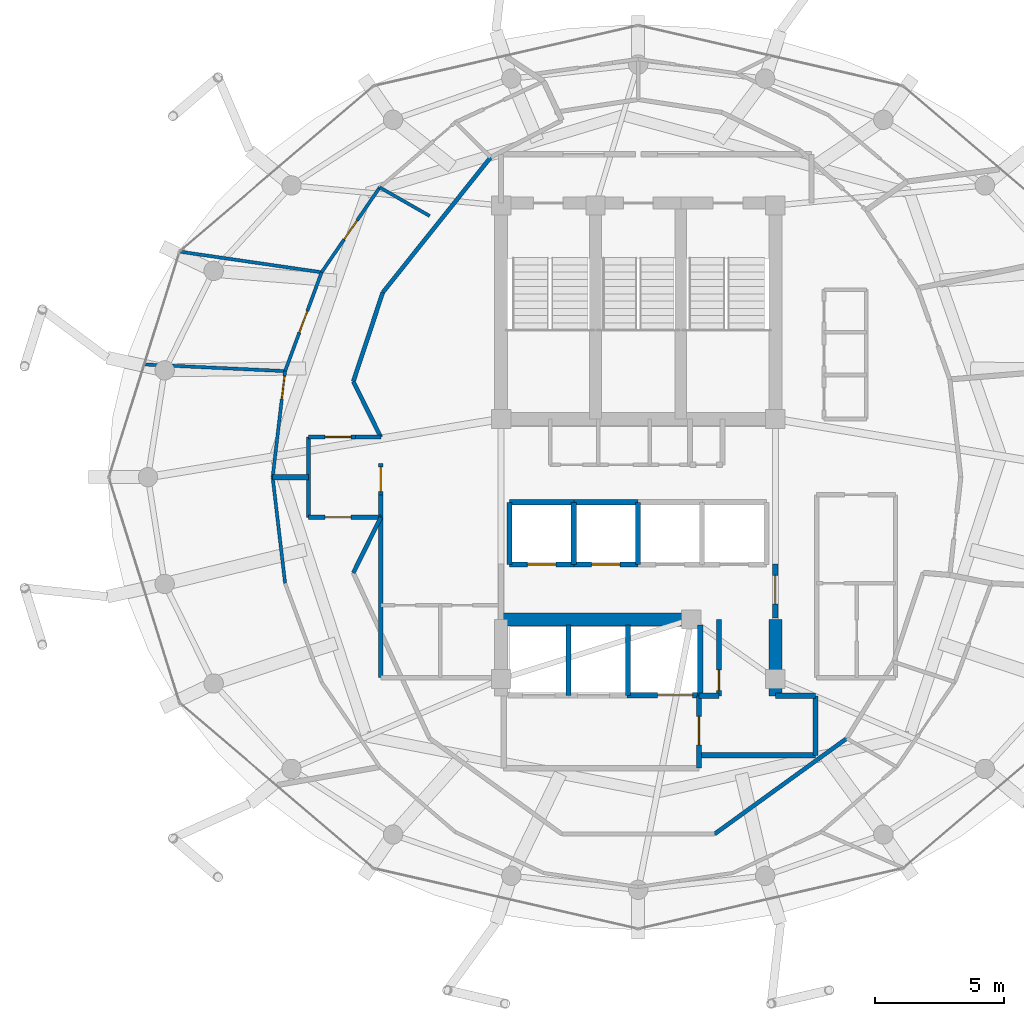
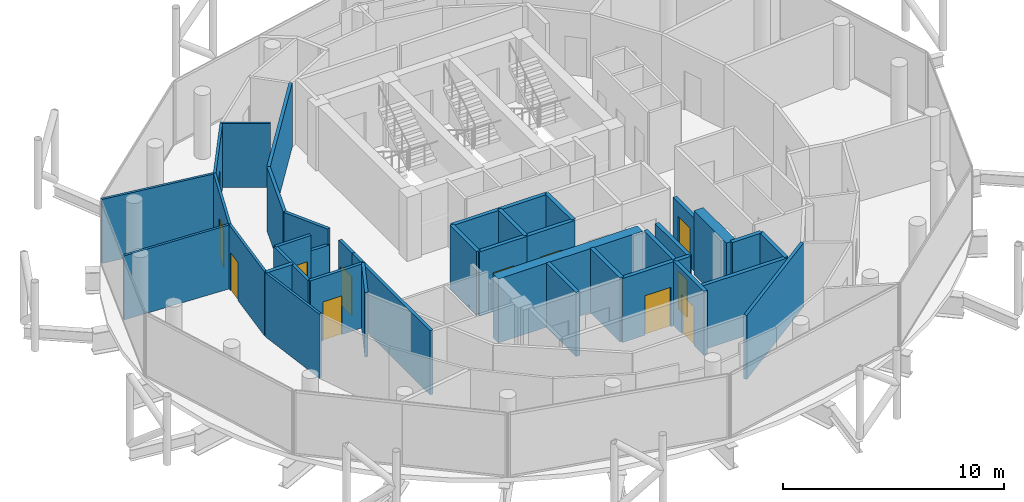
# One storey, part 21 of 25: 39 walls, 12 doors, 12 openings.
"""IFC4 building model written with IfcOpenShell, lengths in metres."""

from ifc_helpers import new_model, si_unit, direction, frame, frame_2d, origin, place, context, subcontext, project, spatial, rectangle, extrude, material, layer, layer_set, type_object, element, fill, save


model = new_model("IFC4")

# Units and contexts
model_context = context("Model", 3, precision=1e-05, world=origin(), true_north=direction((0.0, 1.0)))
body_context = subcontext(model_context, "Body", "Model", "MODEL_VIEW")
ifc_project = project(units=[si_unit("LENGTHUNIT", "METRE"), si_unit("AREAUNIT", "SQUARE_METRE"), si_unit("VOLUMEUNIT", "CUBIC_METRE"), si_unit("PLANEANGLEUNIT", "RADIAN"), si_unit("MASSUNIT", "GRAM", prefix="KILO")], contexts=[model_context])

# Site, building, storey
site_placement = place(None, origin())
site = spatial("IfcSite", under=ifc_project, at=site_placement, CompositionType="ELEMENT")
building_placement = place(site_placement, origin())
building = spatial("IfcBuilding", under=site, at=building_placement, Name="Nuhasar Tower", CompositionType="ELEMENT")
storey_placement = place(building_placement, frame((0.0, 0.0, 255.60009765625)))
storey = spatial("IfcBuildingStorey", under=building, at=storey_placement, Name="L63", CompositionType="ELEMENT", Elevation=255.60009765625)

# Walls
ifc_material_1 = material(Name="Concrete C50/60", Category="concrete")
ifc_layer_1 = layer(ifc_material_1, 0.5)
ifc_layer_set_1 = layer_set([ifc_layer_1], Name="Concrete C50/60")
wall_type_1 = type_object("IfcWallType", Name="WL-CORE-500", PredefinedType="SHEAR", material=ifc_layer_set_1)
wall_1_placement = place(storey_placement, frame((44.300048828125, 18.35009765625, 0.0), z_axis=(0.0, 0.0, 1.0), x_axis=(0.0, 1.0, 0.0)))
element("IfcWall", 1, at=wall_1_placement, inside=storey, type_object=wall_type_1, Name="L63 Core Shear Wall CW-SE CW-500", PredefinedType="SHEAR", context=body_context, shape_type="SweptSolid", body=[
    extrude(rectangle(XDim=2.949951171875, YDim=0.5, at=frame_2d((1.47509765625, 0.0))), origin(), (0.0, 0.0, 1.0), 3.539794921875),
])
wall_2_placement = place(storey_placement, frame((33.699951171875, 21.300048828125, 0.0), z_axis=(0.0, 0.0, 1.0), x_axis=(1.0, 0.0, 0.0)))
element("IfcWall", 2, at=wall_2_placement, inside=storey, type_object=wall_type_1, Name="L63 Core Shear Wall CW-S1 CW-500", PredefinedType="SHEAR", context=body_context, shape_type="SweptSolid", body=[
    extrude(rectangle(XDim=7.550048828125, YDim=0.5, at=frame_2d((3.77490234375, 0.0))), origin(), (0.0, 0.0, 1.0), 3.539794921875),
])
ifc_material_2 = material(Name="Gypsum Board", Category="gypsum")
ifc_layer_2 = layer(ifc_material_2, 0.159912109375)
ifc_layer_set_2 = layer_set([ifc_layer_2], Name="Gypsum Board")
wall_type_2 = type_object("IfcWallType", Name="WL-CORR-160", PredefinedType="PARTITIONING", material=ifc_layer_set_2)
wall_3_placement = place(storey_placement, frame((29.050048828125, 19.050048828125, 0.0), z_axis=(0.0, 0.0, 1.0), x_axis=(0.0, 1.0, 0.0)))
element("IfcWall", 3, at=wall_3_placement, inside=storey, type_object=wall_type_2, Name="L63 Interior Partition RECL-B1-W", PredefinedType="PARTITIONING", context=body_context, shape_type="SweptSolid", body=[
    extrude(rectangle(XDim=7.070068359375, YDim=0.159912109375, at=frame_2d((3.53515625, 0.0))), origin(), (0.0, 0.0, 1.0), 3.539794921875),
])

# Wall, opening, door
wall_4_placement = place(storey_placement, frame((29.050048828125, 26.1201171875, 0.0), z_axis=(0.0, 0.0, 1.0), x_axis=(0.0, 1.0, 0.0)))
wall_4 = element("IfcWall", 4, at=wall_4_placement, inside=storey, type_object=wall_type_2, Name="L63 Interior Partition WVEST-E", PredefinedType="PARTITIONING", context=body_context, shape_type="SweptSolid", body=[
    extrude(rectangle(XDim=1.199951171875, YDim=0.159912109375, at=frame_2d((0.60009765625, 0.0))), origin(), (0.0, 0.0, 1.0), 3.539794921875),
])
opening_1_placement = place(wall_4_placement, frame((0.125, 0.0, 0.0)))
opening_1 = element("IfcOpeningElement", 5, at=opening_1_placement, cuts=wall_4, Name="Opening DO-01", PredefinedType="OPENING", context=body_context, shape_type="SweptSolid", body=[
    extrude(rectangle(XDim=0.949951171875, YDim=2.14990234375, at=frame_2d((0.47509765625, 1.074951171875))), frame((0.0, 0.08984375, 0.0), z_axis=(0.0, -1.0, 0.0), x_axis=(1.0, 0.0, 0.0)), (0.0, 0.0, 1.0), 0.179931640625),
])
ifc_material_3 = material(Name="Timber Oak", Category="wood")
door_type_1 = type_object("IfcDoorType", Name="DR-OFFICE-FD30-950", OperationType="NOTDEFINED", PredefinedType="DOOR", material=ifc_material_3)
door_1_placement = place(opening_1_placement, origin())
door_1 = element("IfcDoor", 6, at=door_1_placement, inside=storey, type_object=door_type_1, Name="L63 West Arrival Foyer Core Door", OperationType="SINGLE_SWING_RIGHT", OverallHeight=2.14990234375, OverallWidth=0.949951171875, PredefinedType="DOOR", context=body_context, shape_type="SweptSolid", body=[
    extrude(rectangle(XDim=0.949951171875, YDim=2.14990234375, at=frame_2d((0.47509765625, 1.074951171875))), frame((0.0, 0.02490234375, 0.0), z_axis=(0.0, -1.0, 0.0), x_axis=(1.0, 0.0, 0.0)), (0.0, 0.0, 1.0), 0.050048828125),
])
fill(opening_1, door_1)

# Walls
wall_5_placement = place(storey_placement, frame((33.300048828125, 39.1669921875, 0.0), z_axis=(0.0, 0.0, 1.0), x_axis=(-0.623915746766, -0.781491612839, 0.0)))
element("IfcWall", 7, at=wall_5_placement, inside=storey, type_object=wall_type_2, Name="L63 Interior Partition UWEST-CORE-N2-16", PredefinedType="PARTITIONING", context=body_context, shape_type="SweptSolid", body=[
    extrude(rectangle(XDim=6.6884765625, YDim=0.159912109375, at=frame_2d((3.34423828125, 0.0))), origin(), (0.0, 0.0, 1.0), 3.539794921875),
])
wall_6_placement = place(storey_placement, frame((29.126953125, 33.93994140625, 0.0), z_axis=(0.0, 0.0, 1.0), x_axis=(-0.313985571683, -0.949427754374, 0.0)))
element("IfcWall", 8, at=wall_6_placement, inside=storey, type_object=wall_type_2, Name="L63 Interior Partition UWEST-CORE-N2-20", PredefinedType="PARTITIONING", context=body_context, shape_type="SweptSolid", body=[
    extrude(rectangle(XDim=3.627197265625, YDim=0.159912109375, at=frame_2d((1.8134765625, 0.0))), origin(), (0.0, 0.0, 1.0), 3.539794921875),
])
wall_7_placement = place(storey_placement, frame((41.950927734375, 13.007080078125, 0.0), z_axis=(0.0, 0.0, 1.0), x_axis=(0.810290119061, 0.586028943784, 0.0)))
element("IfcWall", 9, at=wall_7_placement, inside=storey, type_object=wall_type_2, Name="L63 Interior Partition UWEST-CORE-S1-38", PredefinedType="PARTITIONING", context=body_context, shape_type="SweptSolid", body=[
    extrude(rectangle(XDim=6.306396484375, YDim=0.159912109375, at=frame_2d((3.1533203125, 0.0))), origin(), (0.0, 0.0, 1.0), 3.539794921875),
])

# Wall, opening, door
wall_8_placement = place(storey_placement, frame((26.25, 28.35009765625, 0.0), z_axis=(0.0, 0.0, 1.0), x_axis=(1.0, 0.0, 0.0)))
wall_8 = element("IfcWall", 10, at=wall_8_placement, inside=storey, type_object=wall_type_2, Name="L63 Interior Partition WVEST-N", PredefinedType="PARTITIONING", context=body_context, shape_type="SweptSolid", body=[
    extrude(rectangle(XDim=1.820068359375, YDim=0.159912109375, at=frame_2d((0.91015625, 0.0))), origin(), (0.0, 0.0, 1.0), 3.539794921875),
])
opening_2_placement = place(wall_8_placement, frame((0.64990234375, 0.0, 0.0)))
opening_2 = element("IfcOpeningElement", 11, at=opening_2_placement, cuts=wall_8, Name="Opening DU-02", PredefinedType="OPENING", context=body_context, shape_type="SweptSolid", body=[
    extrude(rectangle(XDim=1.0, YDim=2.14990234375, at=frame_2d((0.5, 1.074951171875))), frame((0.0, 0.08984375, 0.0), z_axis=(0.0, -1.0, 0.0), x_axis=(1.0, 0.0, 0.0)), (0.0, 0.0, 1.0), 0.179931640625),
])
door_type_2 = type_object("IfcDoorType", Name="DR-FLAT-FD60-1000", OperationType="NOTDEFINED", PredefinedType="DOOR", material=ifc_material_3)
door_2_placement = place(opening_2_placement, origin())
door_2 = element("IfcDoor", 12, at=door_2_placement, inside=storey, type_object=door_type_2, Name="L63 North-West Sky Home Entrance", OperationType="SINGLE_SWING_LEFT", OverallHeight=2.14990234375, OverallWidth=1.0, PredefinedType="DOOR", context=body_context, shape_type="SweptSolid", body=[
    extrude(rectangle(XDim=1.0, YDim=2.14990234375, at=frame_2d((0.5, 1.074951171875))), frame((0.0, 0.02490234375, 0.0), z_axis=(0.0, -1.0, 0.0), x_axis=(1.0, 0.0, 0.0)), (0.0, 0.0, 1.0), 0.050048828125),
])
fill(opening_2, door_2)

# Wall
wall_9_placement = place(storey_placement, frame((28.070068359375, 28.35009765625, 0.0), z_axis=(0.0, 0.0, 1.0), x_axis=(1.0, 0.0, 0.0)))
element("IfcWall", 13, at=wall_9_placement, inside=storey, type_object=wall_type_2, Name="L63 Interior Partition WVEST-N", PredefinedType="PARTITIONING", context=body_context, shape_type="SweptSolid", body=[
    extrude(rectangle(XDim=0.97998046875, YDim=0.159912109375, at=frame_2d((0.489990234375, 0.0))), origin(), (0.0, 0.0, 1.0), 2.679931640625),
])

# Wall, opening, door
wall_10_placement = place(storey_placement, frame((26.25, 25.25, 0.0), z_axis=(0.0, 0.0, 1.0), x_axis=(1.0, 0.0, 0.0)))
wall_10 = element("IfcWall", 14, at=wall_10_placement, inside=storey, type_object=wall_type_2, Name="L63 Interior Partition WVEST-S", PredefinedType="PARTITIONING", context=body_context, shape_type="SweptSolid", body=[
    extrude(rectangle(XDim=2.800048828125, YDim=0.159912109375, at=frame_2d((1.39990234375, 0.0))), origin(), (0.0, 0.0, 1.0), 3.539794921875),
])
opening_3_placement = place(wall_10_placement, frame((0.64990234375, 0.0, 0.0)))
opening_3 = element("IfcOpeningElement", 15, at=opening_3_placement, cuts=wall_10, Name="Opening DU-02", PredefinedType="OPENING", context=body_context, shape_type="SweptSolid", body=[
    extrude(rectangle(XDim=1.0, YDim=2.14990234375, at=frame_2d((0.5, 1.074951171875))), frame((0.0, 0.08984375, 0.0), z_axis=(0.0, -1.0, 0.0), x_axis=(1.0, 0.0, 0.0)), (0.0, 0.0, 1.0), 0.179931640625),
])
door_3_placement = place(opening_3_placement, origin())
door_3 = element("IfcDoor", 16, at=door_3_placement, inside=storey, type_object=door_type_2, Name="L63 South-West Sky Home Entrance", OperationType="SINGLE_SWING_LEFT", OverallHeight=2.14990234375, OverallWidth=1.0, PredefinedType="DOOR", context=body_context, shape_type="SweptSolid", body=[
    extrude(rectangle(XDim=1.0, YDim=2.14990234375, at=frame_2d((0.5, 1.074951171875))), frame((0.0, 0.02490234375, 0.0), z_axis=(0.0, -1.0, 0.0), x_axis=(1.0, 0.0, 0.0)), (0.0, 0.0, 1.0), 0.050048828125),
])
fill(opening_3, door_3)

# Walls
wall_11_placement = place(storey_placement, frame((26.25, 25.25, 0.0), z_axis=(0.0, 0.0, 1.0), x_axis=(0.0, 1.0, 0.0)))
element("IfcWall", 17, at=wall_11_placement, inside=storey, type_object=wall_type_2, Name="L63 Interior Partition WVEST-W", PredefinedType="PARTITIONING", context=body_context, shape_type="SweptSolid", body=[
    extrude(rectangle(XDim=3.10009765625, YDim=0.159912109375, at=frame_2d((1.550048828125, 0.0))), origin(), (0.0, 0.0, 1.0), 3.539794921875),
])
for number, where, z_axis, x_axis, name in (
    (18, (27.988037109375, 30.49609375, 0.0), (0.0, 0.0, 1.0), (0.443539160525, -0.896254993337, 0.0), "L63 Interior Partition WVEST-CN"),
    (19, (27.988037109375, 23.10400390625, 0.0), (0.0, 0.0, 1.0), (0.443539160525, 0.896254993337, 0.0), "L63 Interior Partition WVEST-CS"),
):
    element("IfcWall", number, at=place(storey_placement, frame(where, z_axis=z_axis, x_axis=x_axis)), inside=storey, type_object=wall_type_2, Name=name, PredefinedType="PARTITIONING", context=body_context, shape_type="SweptSolid", body=[
        extrude(rectangle(XDim=2.394287109375, YDim=0.159912109375, at=frame_2d((1.197265625, 0.0))), origin(), (0.0, 0.0, 1.0), 3.539794921875),
    ])

# Wall, opening, door
ifc_material_4 = material(Name="Concrete C45/55", Category="concrete")
ifc_layer_3 = layer(ifc_material_4, 0.199951171875)
ifc_layer_set_3 = layer_set([ifc_layer_3], Name="Concrete C45/55")
wall_type_3 = type_object("IfcWallType", Name="WL-LOBBY-200", PredefinedType="SOLIDWALL", material=ifc_layer_set_3)
wall_12_placement = place(storey_placement, frame((44.300048828125, 21.35009765625, 0.0), z_axis=(0.0, 0.0, 1.0), x_axis=(0.0, 1.0, 0.0)))
wall_12 = element("IfcWall", 20, at=wall_12_placement, inside=storey, type_object=wall_type_3, Name="L63 Interior Partition LLBH-E", PredefinedType="SOLIDWALL", context=body_context, shape_type="SweptSolid", body=[
    extrude(rectangle(XDim=2.099853515625, YDim=0.199951171875, at=frame_2d((1.0498046875, 0.0))), origin(), (0.0, 0.0, 1.0), 2.9248046875),
])
opening_4_placement = place(wall_12_placement, frame((0.550048828125, 0.0, 0.0)))
opening_4 = element("IfcOpeningElement", 21, at=opening_4_placement, cuts=wall_12, Name="Opening DS-02", PredefinedType="OPENING", context=body_context, shape_type="SweptSolid", body=[
    extrude(rectangle(XDim=1.10009765625, YDim=2.14990234375, at=frame_2d((0.550048828125, 1.074951171875))), frame((0.0, 0.10986328125, 0.0), z_axis=(0.0, -1.0, 0.0), x_axis=(1.0, 0.0, 0.0)), (0.0, 0.0, 1.0), 0.219970703125),
])
ifc_material_5 = material(Name="Steel S355", Category="steel")
door_type_3 = type_object("IfcDoorType", Name="DR-FFL-FD120-1100", OperationType="NOTDEFINED", PredefinedType="DOOR", material=ifc_material_5)
door_4_placement = place(opening_4_placement, origin())
door_4 = element("IfcDoor", 22, at=door_4_placement, inside=storey, type_object=door_type_3, Name="L63 High-Rise Lobby East Door", OperationType="SINGLE_SWING_RIGHT", OverallHeight=2.14990234375, OverallWidth=1.10009765625, PredefinedType="DOOR", context=body_context, shape_type="SweptSolid", body=[
    extrude(rectangle(XDim=1.10009765625, YDim=2.14990234375, at=frame_2d((0.550048828125, 1.074951171875))), frame((0.0, 0.02490234375, 0.0), z_axis=(0.0, -1.0, 0.0), x_axis=(1.0, 0.0, 0.0)), (0.0, 0.0, 1.0), 0.050048828125),
])
fill(opening_4, door_4)

wall_13_placement = place(storey_placement, frame((41.35009765625, 15.550048828125, 0.0), z_axis=(0.0, 0.0, 1.0), x_axis=(0.0, 1.0, 0.0)))
wall_13 = element("IfcWall", 23, at=wall_13_placement, inside=storey, type_object=wall_type_3, Name="L63 Interior Partition FFL-E", PredefinedType="SOLIDWALL", context=body_context, shape_type="SweptSolid", body=[
    extrude(rectangle(XDim=2.800048828125, YDim=0.199951171875, at=frame_2d((1.39990234375, 0.0))), origin(), (0.0, 0.0, 1.0), 3.539794921875),
])
opening_5_placement = place(wall_13_placement, frame((0.89990234375, 0.0, 0.0)))
opening_5 = element("IfcOpeningElement", 24, at=opening_5_placement, cuts=wall_13, Name="Opening DS-02", PredefinedType="OPENING", context=body_context, shape_type="SweptSolid", body=[
    extrude(rectangle(XDim=1.10009765625, YDim=2.14990234375, at=frame_2d((0.550048828125, 1.074951171875))), frame((0.0, 0.10986328125, 0.0), z_axis=(0.0, -1.0, 0.0), x_axis=(1.0, 0.0, 0.0)), (0.0, 0.0, 1.0), 0.219970703125),
])
door_5_placement = place(opening_5_placement, origin())
door_5 = element("IfcDoor", 25, at=door_5_placement, inside=storey, type_object=door_type_3, Name="L63 Firefighting Lobby Door", OperationType="SINGLE_SWING_RIGHT", OverallHeight=2.14990234375, OverallWidth=1.10009765625, PredefinedType="DOOR", context=body_context, shape_type="SweptSolid", body=[
    extrude(rectangle(XDim=1.10009765625, YDim=2.14990234375, at=frame_2d((0.550048828125, 1.074951171875))), frame((0.0, 0.02490234375, 0.0), z_axis=(0.0, -1.0, 0.0), x_axis=(1.0, 0.0, 0.0)), (0.0, 0.0, 1.0), 0.050048828125),
])
fill(opening_5, door_5)

# Walls
wall_14_placement = place(storey_placement, frame((41.35009765625, 16.050048828125, 0.0), z_axis=(0.0, 0.0, 1.0), x_axis=(1.0, 0.0, 0.0)))
element("IfcWall", 26, at=wall_14_placement, inside=storey, type_object=wall_type_3, Name="L63 Interior Partition SVLV-S", PredefinedType="SOLIDWALL", context=body_context, shape_type="SweptSolid", body=[
    extrude(rectangle(XDim=4.5, YDim=0.199951171875, at=frame_2d((2.25, 0.0))), origin(), (0.0, 0.0, 1.0), 3.539794921875),
])
wall_15_placement = place(storey_placement, frame((45.85009765625, 16.050048828125, 0.0), z_axis=(0.0, 0.0, 1.0), x_axis=(0.0, 1.0, 0.0)))
element("IfcWall", 27, at=wall_15_placement, inside=storey, type_object=wall_type_3, Name="L63 Interior Partition SVLV-E", PredefinedType="SOLIDWALL", context=body_context, shape_type="SweptSolid", body=[
    extrude(rectangle(XDim=2.300048828125, YDim=0.199951171875, at=frame_2d((1.14990234375, 0.0))), origin(), (0.0, 0.0, 1.0), 3.539794921875),
])
wall_16_placement = place(storey_placement, frame((44.300048828125, 18.35009765625, 0.0), z_axis=(0.0, 0.0, 1.0), x_axis=(1.0, 0.0, 0.0)))
element("IfcWall", 28, at=wall_16_placement, inside=storey, type_object=wall_type_3, Name="L63 Interior Partition SVLV-N", PredefinedType="SOLIDWALL", context=body_context, shape_type="SweptSolid", body=[
    extrude(rectangle(XDim=1.550048828125, YDim=0.199951171875, at=frame_2d((0.77490234375, 0.0))), origin(), (0.0, 0.0, 1.0), 3.539794921875),
])
ifc_layer_4 = layer(ifc_material_2, 0.125)
ifc_layer_set_4 = layer_set([ifc_layer_4], Name="Gypsum Board")
wall_type_4 = type_object("IfcWallType", Name="WL-PART-125", PredefinedType="PARTITIONING", material=ifc_layer_set_4)
wall_17_placement = place(storey_placement, frame((30.93896484375, 36.89697265625, 0.0), z_axis=(0.0, 0.0, 1.0), x_axis=(-0.868013301924, 0.496540942606, 0.0)))
element("IfcWall", 29, at=wall_17_placement, inside=storey, type_object=wall_type_4, Name="L63 Interior Partition USI-1-KD", PredefinedType="PARTITIONING", context=body_context, shape_type="SweptSolid", body=[
    extrude(rectangle(XDim=2.223388671875, YDim=0.125, at=frame_2d((1.11181640625, 0.0))), origin(), (0.0, 0.0, 1.0), 3.539794921875),
])

# Wall, opening, door
wall_18_placement = place(storey_placement, frame((26.762939453125, 34.719970703125, 0.0), z_axis=(0.0, 0.0, 1.0), x_axis=(0.564888606623, 0.825167172219, 0.0)))
wall_18 = element("IfcWall", 30, at=wall_18_placement, inside=storey, type_object=wall_type_4, Name="L63 Interior Partition USM-1-D-18", PredefinedType="PARTITIONING", context=body_context, shape_type="SweptSolid", body=[
    extrude(rectangle(XDim=3.97607421875, YDim=0.125, at=frame_2d((1.988037109375, 0.0))), origin(), (0.0, 0.0, 1.0), 3.539794921875),
])
opening_6_placement = place(wall_18_placement, frame((1.5380859375, 0.0, 0.0)))
opening_6 = element("IfcOpeningElement", 31, at=opening_6_placement, cuts=wall_18, Name="Opening DR-01", PredefinedType="OPENING", context=body_context, shape_type="SweptSolid", body=[
    extrude(rectangle(XDim=0.89990234375, YDim=2.10009765625, at=frame_2d((0.449951171875, 1.050048828125))), frame((0.0, 0.072509765625, 0.0), z_axis=(0.0, -1.0, 0.0), x_axis=(1.0, 0.0, 0.0)), (0.0, 0.0, 1.0), 0.14501953125),
])
door_type_4 = type_object("IfcDoorType", Name="DR-ROOM-900", OperationType="NOTDEFINED", PredefinedType="DOOR", material=ifc_material_3)
door_6_placement = place(opening_6_placement, origin())
door_6 = element("IfcDoor", 32, at=door_6_placement, inside=storey, type_object=door_type_4, Name="L63 North-West Sky Home Master Bedroom Door", OperationType="SINGLE_SWING_LEFT", OverallHeight=2.10009765625, OverallWidth=0.89990234375, PredefinedType="DOOR", context=body_context, shape_type="SweptSolid", body=[
    extrude(rectangle(XDim=0.89990234375, YDim=2.10009765625, at=frame_2d((0.449951171875, 1.050048828125))), frame((0.0, 0.02490234375, 0.0), z_axis=(0.0, -1.0, 0.0), x_axis=(1.0, 0.0, 0.0)), (0.0, 0.0, 1.0), 0.050048828125),
])
fill(opening_6, door_6)

wall_19_placement = place(storey_placement, frame((25.35107421875, 30.89990234375, 0.0), z_axis=(0.0, 0.0, 1.0), x_axis=(0.346671925992, 0.937986447519, 0.0)))
wall_19 = element("IfcWall", 33, at=wall_19_placement, inside=storey, type_object=wall_type_4, Name="L63 Interior Partition USM-1-D-20", PredefinedType="PARTITIONING", context=body_context, shape_type="SweptSolid", body=[
    extrude(rectangle(XDim=4.072509765625, YDim=0.125, at=frame_2d((2.0361328125, 0.0))), origin(), (0.0, 0.0, 1.0), 3.539794921875),
])
opening_7_placement = place(wall_19_placement, frame((1.5859375, 0.0, 0.0)))
opening_7 = element("IfcOpeningElement", 34, at=opening_7_placement, cuts=wall_19, Name="Opening DR-01", PredefinedType="OPENING", context=body_context, shape_type="SweptSolid", body=[
    extrude(rectangle(XDim=0.89990234375, YDim=2.10009765625, at=frame_2d((0.449951171875, 1.050048828125))), frame((0.0, 0.072509765625, 0.0), z_axis=(0.0, -1.0, 0.0), x_axis=(1.0, 0.0, 0.0)), (0.0, 0.0, 1.0), 0.14501953125),
])
door_7_placement = place(opening_7_placement, origin())
door_7 = element("IfcDoor", 35, at=door_7_placement, inside=storey, type_object=door_type_4, Name="L63 North-West Sky Home Study Door", OperationType="SINGLE_SWING_RIGHT", OverallHeight=2.10009765625, OverallWidth=0.89990234375, PredefinedType="DOOR", context=body_context, shape_type="SweptSolid", body=[
    extrude(rectangle(XDim=0.89990234375, YDim=2.10009765625, at=frame_2d((0.449951171875, 1.050048828125))), frame((0.0, 0.02490234375, 0.0), z_axis=(0.0, -1.0, 0.0), x_axis=(1.0, 0.0, 0.0)), (0.0, 0.0, 1.0), 0.050048828125),
])
fill(opening_7, door_7)

wall_20_placement = place(storey_placement, frame((24.8701171875, 26.800048828125, 0.0), z_axis=(0.0, 0.0, 1.0), x_axis=(0.116511816348, 0.993189305546, 0.0)))
wall_20 = element("IfcWall", 36, at=wall_20_placement, inside=storey, type_object=wall_type_4, Name="L63 Interior Partition USM-1-D-22", PredefinedType="PARTITIONING", context=body_context, shape_type="SweptSolid", body=[
    extrude(rectangle(XDim=4.1279296875, YDim=0.125, at=frame_2d((2.06396484375, 0.0))), origin(), (0.0, 0.0, 1.0), 3.539794921875),
])
opening_8_placement = place(wall_20_placement, frame((3.028076171875, 0.0, 0.0)))
opening_8 = element("IfcOpeningElement", 37, at=opening_8_placement, cuts=wall_20, Name="Opening DR-01", PredefinedType="OPENING", context=body_context, shape_type="SweptSolid", body=[
    extrude(rectangle(XDim=0.89990234375, YDim=2.10009765625, at=frame_2d((0.449951171875, 1.050048828125))), frame((0.0, 0.072509765625, 0.0), z_axis=(0.0, -1.0, 0.0), x_axis=(1.0, 0.0, 0.0)), (0.0, 0.0, 1.0), 0.14501953125),
])
door_8_placement = place(opening_8_placement, origin())
door_8 = element("IfcDoor", 38, at=door_8_placement, inside=storey, type_object=door_type_4, Name="L63 North-West Sky Home Living Door", OperationType="SINGLE_SWING_RIGHT", OverallHeight=2.10009765625, OverallWidth=0.89990234375, PredefinedType="DOOR", context=body_context, shape_type="SweptSolid", body=[
    extrude(rectangle(XDim=0.89990234375, YDim=2.10009765625, at=frame_2d((0.449951171875, 1.050048828125))), frame((0.0, 0.02490234375, 0.0), z_axis=(0.0, -1.0, 0.0), x_axis=(1.0, 0.0, 0.0)), (0.0, 0.0, 1.0), 0.050048828125),
])
fill(opening_8, door_8)

# Walls
wall_21_placement = place(storey_placement, frame((24.8701171875, 26.800048828125, 0.0), z_axis=(0.0, 0.0, 1.0), x_axis=(0.116504972814, -0.993190108343, 0.0)))
element("IfcWall", 39, at=wall_21_placement, inside=storey, type_object=wall_type_4, Name="L63 Interior Partition USM-1-D-24", PredefinedType="PARTITIONING", context=body_context, shape_type="SweptSolid", body=[
    extrude(rectangle(XDim=4.128173828125, YDim=0.125, at=frame_2d((2.06396484375, 0.0))), origin(), (0.0, 0.0, 1.0), 3.539794921875),
])
wall_22_placement = place(storey_placement, frame((26.762939453125, 34.719970703125, 0.0), z_axis=(0.0, 0.0, 1.0), x_axis=(-0.989587357403, 0.143933533511, 0.0)))
element("IfcWall", 40, at=wall_22_placement, inside=storey, type_object=wall_type_4, Name="L63 Interior Partition USO-1-B1", PredefinedType="PARTITIONING", context=body_context, shape_type="SweptSolid", body=[
    extrude(rectangle(XDim=5.50927734375, YDim=0.125, at=frame_2d((2.754638671875, 0.0))), origin(), (0.0, 0.0, 1.0), 3.539794921875),
])
wall_23_placement = place(storey_placement, frame((25.35107421875, 30.89990234375, 0.0), z_axis=(0.0, 0.0, 1.0), x_axis=(-0.998872011246, 0.047483735626, 0.0)))
element("IfcWall", 41, at=wall_23_placement, inside=storey, type_object=wall_type_4, Name="L63 Interior Partition USO-1-B2", PredefinedType="PARTITIONING", context=body_context, shape_type="SweptSolid", body=[
    extrude(rectangle(XDim=5.4140625, YDim=0.125, at=frame_2d((2.70703125, 0.0))), origin(), (0.0, 0.0, 1.0), 3.539794921875),
])

# Wall, opening, door
ifc_layer_5 = layer(ifc_material_4, 0.199951171875)
ifc_layer_set_5 = layer_set([ifc_layer_5], Name="Concrete C45/55")
wall_type_5 = type_object("IfcWallType", Name="WL-SHAFT-200", PredefinedType="SOLIDWALL", material=ifc_layer_set_5)
wall_24_placement = place(storey_placement, frame((34.02001953125, 23.419921875, 0.0), z_axis=(0.0, 0.0, 1.0), x_axis=(1.0, 0.0, 0.0)))
wall_24 = element("IfcWall", 42, at=wall_24_placement, inside=storey, type_object=wall_type_5, Name="L63 Interior Partition SHF-PL-H01-S", PredefinedType="SOLIDWALL", context=body_context, shape_type="SweptSolid", body=[
    extrude(rectangle(XDim=2.5, YDim=0.199951171875, at=frame_2d((1.25, 0.0))), origin(), (0.0, 0.0, 1.0), 3.539794921875),
])
opening_9_placement = place(wall_24_placement, frame((0.699951171875, 0.0, 0.0)))
opening_9 = element("IfcOpeningElement", 43, at=opening_9_placement, cuts=wall_24, Name="Opening LD-H01", PredefinedType="OPENING", context=body_context, shape_type="SweptSolid", body=[
    extrude(rectangle(XDim=1.10009765625, YDim=2.14990234375, at=frame_2d((0.550048828125, 1.074951171875))), frame((0.0, 0.10986328125, 0.0), z_axis=(0.0, -1.0, 0.0), x_axis=(1.0, 0.0, 0.0)), (0.0, 0.0, 1.0), 0.219970703125),
])
ifc_material_6 = material(Name="Stainless Steel 316L", Category="steel")
door_type_5 = type_object("IfcDoorType", Name="LD-PAX-1100", OperationType="DOUBLE_DOOR_SLIDING", PredefinedType="DOOR", material=ifc_material_6)
door_9_placement = place(opening_9_placement, origin())
door_9 = element("IfcDoor", 44, at=door_9_placement, inside=storey, type_object=door_type_5, Name="L63 Lift Landing Door PL-H01", OperationType="DOUBLE_DOOR_SLIDING", OverallHeight=2.14990234375, OverallWidth=1.10009765625, PredefinedType="DOOR", context=body_context, shape_type="SweptSolid", body=[
    extrude(rectangle(XDim=1.10009765625, YDim=2.14990234375, at=frame_2d((0.550048828125, 1.074951171875))), frame((0.0, 0.02490234375, 0.0), z_axis=(0.0, -1.0, 0.0), x_axis=(1.0, 0.0, 0.0)), (0.0, 0.0, 1.0), 0.050048828125),
])
fill(opening_9, door_9)

# Walls
wall_25_placement = place(storey_placement, frame((34.02001953125, 25.830078125, 0.0), z_axis=(0.0, 0.0, 1.0), x_axis=(1.0, 0.0, 0.0)))
element("IfcWall", 45, at=wall_25_placement, inside=storey, type_object=wall_type_5, Name="L63 Interior Partition SHF-PL-H01-N", PredefinedType="SOLIDWALL", context=body_context, shape_type="SweptSolid", body=[
    extrude(rectangle(XDim=2.5, YDim=0.199951171875, at=frame_2d((1.25, 0.0))), origin(), (0.0, 0.0, 1.0), 3.539794921875),
])
for number, where, z_axis, x_axis, name in (
    (46, (34.02001953125, 23.419921875, 0.0), (0.0, 0.0, 1.0), (0.0, 1.0, 0.0), "L63 Interior Partition SHF-PL-H01-W"),
    (47, (36.510009765625, 23.419921875, 0.0), (0.0, 0.0, 1.0), (0.0, 1.0, 0.0), "L63 Interior Partition SHF-PL-H01-E"),
):
    element("IfcWall", number, at=place(storey_placement, frame(where, z_axis=z_axis, x_axis=x_axis)), inside=storey, type_object=wall_type_5, Name=name, PredefinedType="SOLIDWALL", context=body_context, shape_type="SweptSolid", body=[
        extrude(rectangle(XDim=2.41015625, YDim=0.199951171875, at=frame_2d((1.205078125, 0.0))), origin(), (0.0, 0.0, 1.0), 3.539794921875),
    ])

# Wall, opening, door
wall_26_placement = place(storey_placement, frame((36.5, 23.419921875, 0.0), z_axis=(0.0, 0.0, 1.0), x_axis=(1.0, 0.0, 0.0)))
wall_26 = element("IfcWall", 48, at=wall_26_placement, inside=storey, type_object=wall_type_5, Name="L63 Interior Partition SHF-PL-H02-S", PredefinedType="SOLIDWALL", context=body_context, shape_type="SweptSolid", body=[
    extrude(rectangle(XDim=2.5, YDim=0.199951171875, at=frame_2d((1.25, 0.0))), origin(), (0.0, 0.0, 1.0), 3.539794921875),
])
opening_10_placement = place(wall_26_placement, frame((0.699951171875, 0.0, 0.0)))
opening_10 = element("IfcOpeningElement", 49, at=opening_10_placement, cuts=wall_26, Name="Opening LD-H02", PredefinedType="OPENING", context=body_context, shape_type="SweptSolid", body=[
    extrude(rectangle(XDim=1.10009765625, YDim=2.14990234375, at=frame_2d((0.550048828125, 1.074951171875))), frame((0.0, 0.10986328125, 0.0), z_axis=(0.0, -1.0, 0.0), x_axis=(1.0, 0.0, 0.0)), (0.0, 0.0, 1.0), 0.219970703125),
])
door_10_placement = place(opening_10_placement, origin())
door_10 = element("IfcDoor", 50, at=door_10_placement, inside=storey, type_object=door_type_5, Name="L63 Lift Landing Door PL-H02", OperationType="DOUBLE_DOOR_SLIDING", OverallHeight=2.14990234375, OverallWidth=1.10009765625, PredefinedType="DOOR", context=body_context, shape_type="SweptSolid", body=[
    extrude(rectangle(XDim=1.10009765625, YDim=2.14990234375, at=frame_2d((0.550048828125, 1.074951171875))), frame((0.0, 0.02490234375, 0.0), z_axis=(0.0, -1.0, 0.0), x_axis=(1.0, 0.0, 0.0)), (0.0, 0.0, 1.0), 0.050048828125),
])
fill(opening_10, door_10)

# Walls
wall_27_placement = place(storey_placement, frame((36.5, 25.830078125, 0.0), z_axis=(0.0, 0.0, 1.0), x_axis=(1.0, 0.0, 0.0)))
element("IfcWall", 51, at=wall_27_placement, inside=storey, type_object=wall_type_5, Name="L63 Interior Partition SHF-PL-H02-N", PredefinedType="SOLIDWALL", context=body_context, shape_type="SweptSolid", body=[
    extrude(rectangle(XDim=2.5, YDim=0.199951171875, at=frame_2d((1.25, 0.0))), origin(), (0.0, 0.0, 1.0), 3.539794921875),
])
wall_28_placement = place(storey_placement, frame((38.989990234375, 23.419921875, 0.0), z_axis=(0.0, 0.0, 1.0), x_axis=(0.0, 1.0, 0.0)))
element("IfcWall", 52, at=wall_28_placement, inside=storey, type_object=wall_type_5, Name="L63 Interior Partition SHF-PL-H02-E", PredefinedType="SOLIDWALL", context=body_context, shape_type="SweptSolid", body=[
    extrude(rectangle(XDim=2.41015625, YDim=0.199951171875, at=frame_2d((1.205078125, 0.0))), origin(), (0.0, 0.0, 1.0), 3.539794921875),
])
for number, where, z_axis, x_axis, name in (
    (53, (36.300048828125, 18.3701171875, 0.0), (0.0, 0.0, 1.0), (0.0, 1.0, 0.0), "L63 Interior Partition SHF-FFL-01-E"),
    (54, (38.60009765625, 18.3701171875, 0.0), (0.0, 0.0, 1.0), (0.0, 1.0, 0.0), "L63 Interior Partition SHF-FFL-02-E"),
):
    element("IfcWall", number, at=place(storey_placement, frame(where, z_axis=z_axis, x_axis=x_axis)), inside=storey, type_object=wall_type_5, Name=name, PredefinedType="SOLIDWALL", context=body_context, shape_type="SweptSolid", body=[
        extrude(rectangle(XDim=2.7099609375, YDim=0.199951171875, at=frame_2d((1.35498046875, 0.0))), origin(), (0.0, 0.0, 1.0), 3.539794921875),
    ])

# Wall, opening, door
wall_29_placement = place(storey_placement, frame((38.570068359375, 18.3701171875, 0.0), z_axis=(0.0, 0.0, 1.0), x_axis=(1.0, 0.0, 0.0)))
wall_29 = element("IfcWall", 55, at=wall_29_placement, inside=storey, type_object=wall_type_5, Name="L63 Interior Partition SHF-SVL-01-S", PredefinedType="SOLIDWALL", context=body_context, shape_type="SweptSolid", body=[
    extrude(rectangle(XDim=2.829833984375, YDim=0.199951171875, at=frame_2d((1.4150390625, 0.0))), origin(), (0.0, 0.0, 1.0), 3.539794921875),
])
opening_11_placement = place(wall_29_placement, frame((1.179931640625, 0.0, 0.0)))
opening_11 = element("IfcOpeningElement", 56, at=opening_11_placement, cuts=wall_29, Name="Opening LD-S01", PredefinedType="OPENING", context=body_context, shape_type="SweptSolid", body=[
    extrude(rectangle(XDim=1.35009765625, YDim=2.179931640625, at=frame_2d((0.675048828125, 1.08984375))), frame((0.0, 0.10986328125, 0.0), z_axis=(0.0, -1.0, 0.0), x_axis=(1.0, 0.0, 0.0)), (0.0, 0.0, 1.0), 0.219970703125),
])
door_type_6 = type_object("IfcDoorType", Name="LD-SVL-1350", OperationType="DOUBLE_DOOR_SLIDING", PredefinedType="DOOR", material=ifc_material_6)
door_11_placement = place(opening_11_placement, origin())
door_11 = element("IfcDoor", 57, at=door_11_placement, inside=storey, type_object=door_type_6, Name="L63 Lift Landing Door SVL-01", OperationType="DOUBLE_DOOR_SLIDING", OverallHeight=2.179931640625, OverallWidth=1.35009765625, PredefinedType="DOOR", context=body_context, shape_type="SweptSolid", body=[
    extrude(rectangle(XDim=1.35009765625, YDim=2.179931640625, at=frame_2d((0.675048828125, 1.08984375))), frame((0.0, 0.02490234375, 0.0), z_axis=(0.0, -1.0, 0.0), x_axis=(1.0, 0.0, 0.0)), (0.0, 0.0, 1.0), 0.050048828125),
])
fill(opening_11, door_11)

# Wall
wall_30_placement = place(storey_placement, frame((41.39990234375, 18.3701171875, 0.0), z_axis=(0.0, 0.0, 1.0), x_axis=(0.0, 1.0, 0.0)))
element("IfcWall", 58, at=wall_30_placement, inside=storey, type_object=wall_type_5, Name="L63 Interior Partition SHF-SVL-01-E", PredefinedType="SOLIDWALL", context=body_context, shape_type="SweptSolid", body=[
    extrude(rectangle(XDim=2.7099609375, YDim=0.199951171875, at=frame_2d((1.35498046875, 0.0))), origin(), (0.0, 0.0, 1.0), 3.539794921875),
])

# Wall, opening, door
wall_31_placement = place(storey_placement, frame((42.1201171875, 18.35009765625, 0.0), z_axis=(0.0, 0.0, 1.0), x_axis=(0.0, 1.0, 0.0)))
wall_31 = element("IfcWall", 59, at=wall_31_placement, inside=storey, type_object=wall_type_5, Name="L63 Interior Partition RSR-E", PredefinedType="SOLIDWALL", context=body_context, shape_type="SweptSolid", body=[
    extrude(rectangle(XDim=2.949951171875, YDim=0.199951171875, at=frame_2d((1.47509765625, 0.0))), origin(), (0.0, 0.0, 1.0), 3.539794921875),
])
opening_12_placement = place(wall_31_placement, frame((0.199951171875, 0.0, 0.0)))
opening_12 = element("IfcOpeningElement", 60, at=opening_12_placement, cuts=wall_31, Name="Opening DM-01", PredefinedType="OPENING", context=body_context, shape_type="SweptSolid", body=[
    extrude(rectangle(XDim=0.800048828125, YDim=2.050048828125, at=frame_2d((0.39990234375, 1.02490234375))), frame((0.0, 0.10986328125, 0.0), z_axis=(0.0, -1.0, 0.0), x_axis=(1.0, 0.0, 0.0)), (0.0, 0.0, 1.0), 0.219970703125),
])
door_type_7 = type_object("IfcDoorType", Name="DR-RISER-FD60-800", OperationType="NOTDEFINED", PredefinedType="DOOR", material=ifc_material_5)
door_12_placement = place(opening_12_placement, origin())
door_12 = element("IfcDoor", 61, at=door_12_placement, inside=storey, type_object=door_type_7, Name="L63 MEP Riser Access Door", OperationType="SINGLE_SWING_LEFT", OverallHeight=2.050048828125, OverallWidth=0.800048828125, PredefinedType="DOOR", context=body_context, shape_type="SweptSolid", body=[
    extrude(rectangle(XDim=0.800048828125, YDim=2.050048828125, at=frame_2d((0.39990234375, 1.02490234375))), frame((0.0, 0.02490234375, 0.0), z_axis=(0.0, -1.0, 0.0), x_axis=(1.0, 0.0, 0.0)), (0.0, 0.0, 1.0), 0.050048828125),
])
fill(opening_12, door_12)

# Walls
wall_32_placement = place(storey_placement, frame((41.35009765625, 18.35009765625, 0.0), z_axis=(0.0, 0.0, 1.0), x_axis=(1.0, 0.0, 0.0)))
element("IfcWall", 62, at=wall_32_placement, inside=storey, type_object=wall_type_5, Name="L63 Interior Partition RSR-S", PredefinedType="SOLIDWALL", context=body_context, shape_type="SweptSolid", body=[
    extrude(rectangle(XDim=0.77001953125, YDim=0.199951171875, at=frame_2d((0.385009765625, 0.0))), origin(), (0.0, 0.0, 1.0), 3.539794921875),
])
ifc_material_7 = material(Name="Concrete C40/50 precast", Category="concrete")
ifc_layer_6 = layer(ifc_material_7, 0.199951171875)
ifc_layer_set_6 = layer_set([ifc_layer_6], Name="Concrete C40/50 precast")
wall_type_6 = type_object("IfcWallType", Name="WL-UNIT-200", PredefinedType="PARTITIONING", material=ifc_layer_set_6)
wall_33_placement = place(storey_placement, frame((26.25, 26.800048828125, 0.0), z_axis=(0.0, 0.0, 1.0), x_axis=(-1.0, 0.0, 0.0)))
element("IfcWall", 63, at=wall_33_placement, inside=storey, type_object=wall_type_6, Name="L63 Interior Partition UWEST-PARTY-IN", PredefinedType="PARTITIONING", context=body_context, shape_type="SweptSolid", body=[
    extrude(rectangle(XDim=1.3798828125, YDim=0.199951171875, at=frame_2d((0.68994140625, 0.0))), origin(), (0.0, 0.0, 1.0), 3.539794921875),
])

save(model, "model.ifc")
